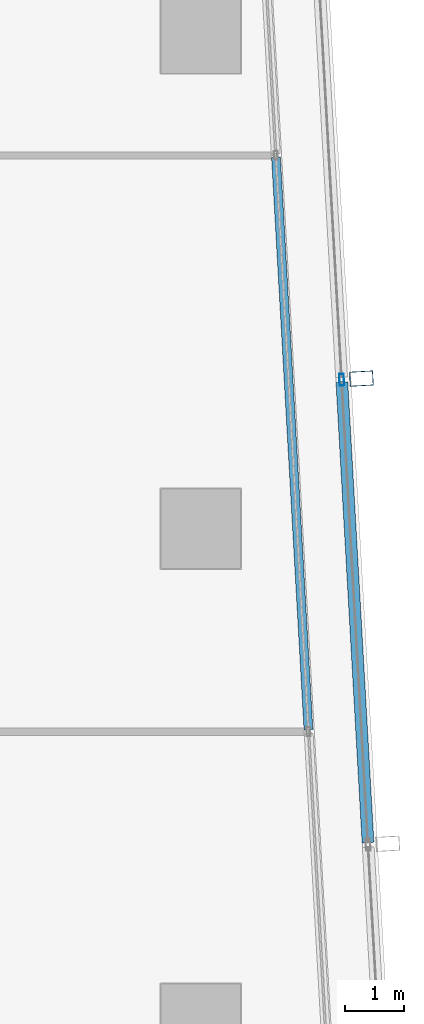
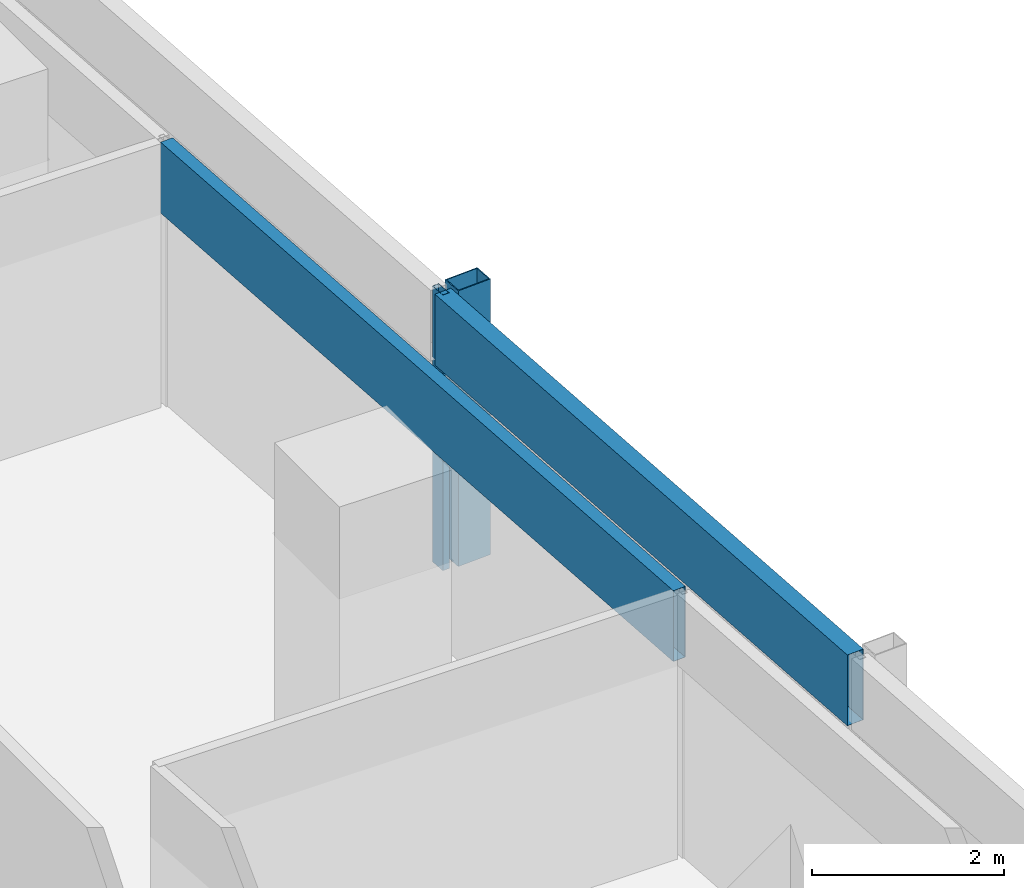
# One storey, part 15 of 39: 4 members, 2 elements without a shape of their own.
"""IFC4 building model written with IfcOpenShell, lengths in metres."""

import ifcopenshell
import ifcopenshell.guid

model = None  # the IFC model being written
_history = None  # IfcOwnerHistory: only IFC2X3 demands one
_inside = {}  # id of a spatial element -> (the spatial element, [elements in it])
_under = {}  # id of a project, library or spatial element -> (it, [spatial elements below it])
_declared = {}  # id of a project -> (the project, [libraries it declares])
_typed = {}  # id of a type object -> (the type object, [elements of that type])
_made_of = {}  # id of a material, layer set ... -> (it, [elements and type objects made of it])


def new_model(schema):
    """Start an empty IFC model of exactly this schema.

    Asked for "IFC4X3", IfcOpenShell would pick the latest addendum, in which some entities
    have other attributes; the version numbers below select the first issue.
    IFC2X3 requires an IfcOwnerHistory on every rooted entity: one is made here for all.
    """
    global model, _history
    if schema == "IFC4X3":
        model = ifcopenshell.file(schema_version=(4, 3, 0, 0))
    else:
        model = ifcopenshell.file(schema=schema)
    _inside.clear()
    _under.clear()
    _declared.clear()
    _typed.clear()
    _made_of.clear()
    _history = None
    if model.schema == "IFC2X3":
        org = make("IfcOrganization", Name="unknown")
        user = make(
            "IfcPersonAndOrganization",
            ThePerson=make("IfcPerson", FamilyName="unknown"),
            TheOrganization=org,
        )
        app = make(
            "IfcApplication",
            ApplicationDeveloper=org,
            Version="unknown",
            ApplicationFullName="unknown",
            ApplicationIdentifier="unknown",
        )
        _history = make(
            "IfcOwnerHistory",
            OwningUser=user,
            OwningApplication=app,
            ChangeAction="ADDED",
            CreationDate=0,
        )
    return model


def make(cls, **values):
    """One entity of the class cls with the attributes given. An attribute that is None is left unset."""
    return model.create_entity(
        cls, **{name: value for name, value in values.items() if value is not None}
    )


def rooted(cls, **values):
    """An entity with a GlobalId (a new one), such as an element, a storey or a relation."""
    return make(cls, GlobalId=ifcopenshell.guid.new(), OwnerHistory=_history, **values)


def si_unit(unit_type, name, prefix=None):
    """IfcSIUnit, for example si_unit("LENGTHUNIT", "METRE", prefix="MILLI")."""
    return make("IfcSIUnit", UnitType=unit_type, Prefix=prefix, Name=name)


def assignment(units):
    """IfcUnitAssignment: the units of a project."""
    return None if units is None else make("IfcUnitAssignment", Units=units)


def point(xyz):
    """IfcCartesianPoint."""
    return None if xyz is None else make("IfcCartesianPoint", Coordinates=xyz)


def direction(xyz):
    """IfcDirection."""
    return None if xyz is None else make("IfcDirection", DirectionRatios=xyz)


def frame(location, z_axis=None, x_axis=None):
    """IfcAxis2Placement3D, a coordinate frame: its origin and axes. An axis left out is left unset."""
    return make(
        "IfcAxis2Placement3D",
        Location=point(location),
        Axis=direction(z_axis),
        RefDirection=direction(x_axis),
    )


def frame_2d(location, x_axis=None):
    """IfcAxis2Placement2D, a coordinate frame in the plane: its origin and x axis."""
    return make(
        "IfcAxis2Placement2D", Location=point(location), RefDirection=direction(x_axis)
    )


def origin():
    """The frame at (0, 0, 0) with its axes left unset."""
    return frame((0.0, 0.0, 0.0))


def origin_2d():
    """The frame at (0, 0) in the plane with its x axis left unset."""
    return frame_2d((0.0, 0.0))


def place(relative_to, where):
    """IfcLocalPlacement: puts the frame where relative to a parent placement (None: the world)."""
    return make(
        "IfcLocalPlacement", PlacementRelTo=relative_to, RelativePlacement=where
    )


def context(
    kind, dimensions, precision=None, world=None, true_north=None, identifier=None
):
    """IfcGeometricRepresentationContext, for example the 3D "Model" context."""
    return make(
        "IfcGeometricRepresentationContext",
        ContextIdentifier=identifier,
        ContextType=kind,
        CoordinateSpaceDimension=dimensions,
        Precision=precision,
        WorldCoordinateSystem=world,
        TrueNorth=true_north,
    )


def subcontext(parent, identifier, kind, view, scale=None):
    """IfcGeometricRepresentationSubContext, for example "Body" below "Model"."""
    return make(
        "IfcGeometricRepresentationSubContext",
        ContextIdentifier=identifier,
        ContextType=kind,
        ParentContext=parent,
        TargetScale=scale,
        TargetView=view,
    )


def project(units=None, contexts=None):
    """IfcProject with its units and contexts."""
    return rooted(
        "IfcProject",
        Name="project",
        RepresentationContexts=contexts,
        UnitsInContext=assignment(units),
    )


def spatial(cls, under=None, at=None, **own):
    """A site, building, storey or space (cls), placed at a placement, below another one or the project."""
    s = rooted(cls, ObjectPlacement=at, **own)
    if under is not None:
        _under.setdefault(under.id(), (under, []))[1].append(s)
    return s


def profile(cls, at=None, kind="AREA", **sizes):
    """A parametric profile (cls). Its sizes go by their IFC names, for example OverallWidth=200.0."""
    return make(cls, ProfileType=kind, Position=at, **sizes)


def hollow_rectangle(**sizes):
    """IfcRectangleHollowProfileDef."""
    return profile("IfcRectangleHollowProfileDef", **sizes)


def extrude(swept, where, along, depth):
    """IfcExtrudedAreaSolid: the profile swept, set in the frame where, extruded along a direction by depth."""
    return make(
        "IfcExtrudedAreaSolid",
        SweptArea=swept,
        Position=where,
        ExtrudedDirection=direction(along),
        Depth=depth,
    )


def shape(context_of_items, identifier, shape_type, items):
    """IfcShapeRepresentation: the items that make up one representation, for example the "Body"."""
    return make(
        "IfcShapeRepresentation",
        ContextOfItems=context_of_items,
        RepresentationIdentifier=identifier,
        RepresentationType=shape_type,
        Items=items,
    )


def material(Name=None, Category=None):
    """IfcMaterial."""
    return make("IfcMaterial", Name=Name, Category=Category)


def material_profile(
    of_material, cross_section, Name=None, Category=None, Priority=None
):
    """IfcMaterialProfile: a cross section and its material."""
    return make(
        "IfcMaterialProfile",
        Name=Name,
        Material=of_material,
        Profile=cross_section,
        Priority=Priority,
        Category=Category,
    )


def profile_set(profiles, Name=None, composite=None):
    """IfcMaterialProfileSet."""
    return make(
        "IfcMaterialProfileSet",
        Name=Name,
        MaterialProfiles=profiles,
        CompositeProfile=composite,
    )


def made_of(thing, what):
    """Note that an element or type object is made of a material, layer set ...; save() writes the relation."""
    if what is not None:
        _made_of.setdefault(what.id(), (what, []))[1].append(thing)
    return thing


def type_object(cls, material=None, **own):
    """A type object (cls), such as IfcWallType, which elements share."""
    return made_of(rooted(cls, **own), material)


def element(
    cls,
    number,
    at=None,
    inside=None,
    cuts=None,
    type_object=None,
    material=None,
    context=None,
    identifier="Body",
    shape_type=None,
    held_by="IfcProductDefinitionShape",
    body=None,
    shapes=None,
    **own,
):
    """One element of the class cls, such as IfcWall. Its Tag is "e" and its number.

    at: its placement. inside: the storey or other place that contains it. cuts: it is an
    opening in that element (IfcRelVoidsElement). A single representation is given by context,
    identifier, shape_type and body (its items); several are given by shapes. held_by: the class
    of the entity that holds the representations. save() writes the other relations.
    """
    e = rooted(cls, Tag="e%d" % number, ObjectPlacement=at, **own)
    if body is not None:
        shapes = [shape(context, identifier, shape_type, body)]
    if shapes is not None:
        e.Representation = make(held_by, Representations=shapes)
    if inside is not None:
        _inside.setdefault(inside.id(), (inside, []))[1].append(e)
    if cuts is not None:
        rooted(
            "IfcRelVoidsElement", RelatingBuildingElement=cuts, RelatedOpeningElement=e
        )
    if type_object is not None:
        _typed.setdefault(type_object.id(), (type_object, []))[1].append(e)
    return made_of(e, material)


def aggregate(whole, parts):
    """IfcRelAggregates: a whole, such as a stair, and the parts it consists of."""
    return rooted("IfcRelAggregates", RelatingObject=whole, RelatedObjects=parts)


def save(model, path):
    """Write the relations noted so far, then the file.

    IfcRelAggregates (storeys below a building ...), IfcRelContainedInSpatialStructure (elements
    in a storey), IfcRelDefinesByType, IfcRelAssociatesMaterial and IfcRelDeclares: one each for
    every whole, place, type object, material and project.
    """
    for whole, parts in _under.values():
        aggregate(whole, parts)
    for where, things in _inside.values():
        rooted(
            "IfcRelContainedInSpatialStructure",
            RelatedElements=things,
            RelatingStructure=where,
        )
    for kind, things in _typed.values():
        rooted("IfcRelDefinesByType", RelatedObjects=things, RelatingType=kind)
    for what, things in _made_of.values():
        rooted("IfcRelAssociatesMaterial", RelatedObjects=things, RelatingMaterial=what)
    for by, libraries in _declared.values():
        rooted("IfcRelDeclares", RelatingContext=by, RelatedDefinitions=libraries)
    model.write(path)


model = new_model("IFC4")

# Units and contexts
model_context = context("Model", 3, precision=1e-05, world=origin(), true_north=direction((0.0, 1.0)))
body_context = subcontext(model_context, "Body", "Model", "MODEL_VIEW")
ifc_project = project(units=[si_unit("LENGTHUNIT", "METRE"), si_unit("AREAUNIT", "SQUARE_METRE"), si_unit("VOLUMEUNIT", "CUBIC_METRE"), si_unit("PLANEANGLEUNIT", "RADIAN"), si_unit("MASSUNIT", "GRAM", prefix="KILO")], contexts=[model_context])

# Site, building, storey
site_placement = place(None, origin())
site = spatial("IfcSite", under=ifc_project, at=site_placement, CompositionType="ELEMENT")
building_placement = place(site_placement, origin())
building = spatial("IfcBuilding", under=site, at=building_placement, Name="Rekha Terrace Tower", CompositionType="ELEMENT")
storey_placement = place(building_placement, frame((0.0, 0.0, 217.699951171875)))
storey = spatial("IfcBuildingStorey", under=building, at=storey_placement, Name="L55", CompositionType="ELEMENT", Elevation=217.699951171875)

# Curtain wall, member
ifc_material_1 = material(Name="Aluminium framing", Category="aluminium")
curtain_wall_type_1 = type_object("IfcCurtainWallType", Name="CW2 double skin outer glazing", PredefinedType="USERDEFINED", material=ifc_material_1)
curtain_wall_1_placement = place(storey_placement, origin())
curtain_wall_1 = element("IfcCurtainWall", 1, at=curtain_wall_1_placement, inside=storey, type_object=curtain_wall_type_1, Name="CW2 double skin outer glazing", ObjectType="DOUBLE SKIN OUTER GLAZING", PredefinedType="USERDEFINED")
ifc_material_2 = material(Name="Steel S355 with fluorocarbon finish", Category="steel")
ifc_material_profile_1 = material_profile(ifc_material_2, hollow_rectangle(XDim=0.25, YDim=0.39990234375, WallThickness=0.012451171875, at=origin_2d()), Name="RHS400x250x12.5")
ifc_profile_set_1 = profile_set([ifc_material_profile_1], Name="Steel S355 with fluorocarbon finish")
member_type_1 = type_object("IfcMemberType", Name="BL1 facade blade RHS 400 x 250", PredefinedType="USERDEFINED", material=ifc_profile_set_1)
member_1_placement = place(storey_placement, frame((61.528076171875, 44.546630859375, 0.0), z_axis=(0.0, 0.0, 1.0), x_axis=(-0.056673619809, 0.998392758797, 0.0)))
member_1 = element("IfcMember", 2, at=member_1_placement, type_object=member_type_1, Name="Facade blade", ObjectType="FACADE BLADE", PredefinedType="USERDEFINED", context=body_context, shape_type="SweptSolid", body=[
    extrude(hollow_rectangle(XDim=0.25, YDim=0.39990234375, WallThickness=0.012451171875, at=origin_2d()), origin(), (0.0, 0.0, 1.0), 3.5),
])

curtain_wall_type_2 = type_object("IfcCurtainWallType", Name="CW1 double skin inner glazing", PredefinedType="USERDEFINED", material=ifc_material_1)
curtain_wall_2_placement = place(storey_placement, origin())
curtain_wall_2 = element("IfcCurtainWall", 3, at=curtain_wall_2_placement, inside=storey, type_object=curtain_wall_type_2, Name="CW1 double skin inner glazing", ObjectType="DOUBLE SKIN INNER GLAZING", PredefinedType="USERDEFINED")
ifc_material_3 = material(Name="Insulated aluminium spandrel box", Category="aluminium")
ifc_material_profile_2 = material_profile(ifc_material_3, hollow_rectangle(XDim=0.14990234375, YDim=0.89990234375, WallThickness=0.0029296875, at=origin_2d()), Name="AL SPANDREL BOX 150x900")
ifc_profile_set_2 = profile_set([ifc_material_profile_2], Name="Insulated aluminium spandrel box")
member_type_2 = type_object("IfcMemberType", Name="CW1 spandrel transom 150 x 900", PredefinedType="USERDEFINED", material=ifc_profile_set_2)
member_2_placement = place(storey_placement, frame((60.629150390625, 38.588134765625, 3.050048828125), z_axis=(-0.056650211304, 0.998394087302, 0.0), x_axis=(-0.998394087302, -0.056650211304, 0.0)))
member_2 = element("IfcMember", 4, at=member_2_placement, type_object=member_type_2, Name="CW1 spandrel transom 2", ObjectType="TRANSOM", PredefinedType="USERDEFINED", context=body_context, shape_type="SweptSolid", body=[
    extrude(hollow_rectangle(XDim=0.14990234375, YDim=0.89990234375, WallThickness=0.0029296875, at=origin_2d()), origin(), (0.0, 0.0, 1.0), 9.726806640625),
])
aggregate(curtain_wall_2, [member_2])

# Member
ifc_material_4 = material(Name="Aluminium mullion section", Category="aluminium")
ifc_material_profile_3 = material_profile(ifc_material_4, hollow_rectangle(XDim=0.080078125, YDim=0.199951171875, WallThickness=0.00390625, at=origin_2d()), Name="AL RHS 80x200")
ifc_profile_set_3 = profile_set([ifc_material_profile_3], Name="Aluminium mullion section")
member_type_3 = type_object("IfcMemberType", Name="CW2 mullion RHS 80 x 200", PredefinedType="MULLION", material=ifc_profile_set_3)
member_3_placement = place(storey_placement, frame((61.193603515625, 44.527587890625, 0.0), z_axis=(0.0, 0.0, 1.0), x_axis=(-0.998392782919, -0.05667319486, 0.0)))
member_3 = element("IfcMember", 5, at=member_3_placement, type_object=member_type_3, Name="CW2 mullion 3", PredefinedType="MULLION", context=body_context, shape_type="SweptSolid", body=[
    extrude(hollow_rectangle(XDim=0.080078125, YDim=0.199951171875, WallThickness=0.00390625, at=origin_2d()), origin(), (0.0, 0.0, 1.0), 3.5),
])

ifc_material_profile_4 = material_profile(ifc_material_3, hollow_rectangle(XDim=0.199951171875, YDim=0.89990234375, WallThickness=0.0029296875, at=origin_2d()), Name="AL SPANDREL BOX 200x900")
ifc_profile_set_4 = profile_set([ifc_material_profile_4], Name="Insulated aluminium spandrel box")
member_type_4 = type_object("IfcMemberType", Name="CW2 spandrel transom 200 x 900", PredefinedType="USERDEFINED", material=ifc_profile_set_4)
member_4_placement = place(storey_placement, frame((61.63916015625, 36.6767578125, 3.050048828125), z_axis=(-0.056669428082, 0.998392996731, 0.0), x_axis=(-0.998392996731, -0.056669428082, 0.0)))
member_4 = element("IfcMember", 6, at=member_4_placement, type_object=member_type_4, Name="CW2 spandrel transom 2", ObjectType="TRANSOM", PredefinedType="USERDEFINED", context=body_context, shape_type="SweptSolid", body=[
    extrude(hollow_rectangle(XDim=0.199951171875, YDim=0.89990234375, WallThickness=0.0029296875, at=origin_2d()), origin(), (0.0, 0.0, 1.0), 7.823486328125),
])

aggregate(curtain_wall_1, [member_3, member_4, member_1])

save(model, "model.ifc")
